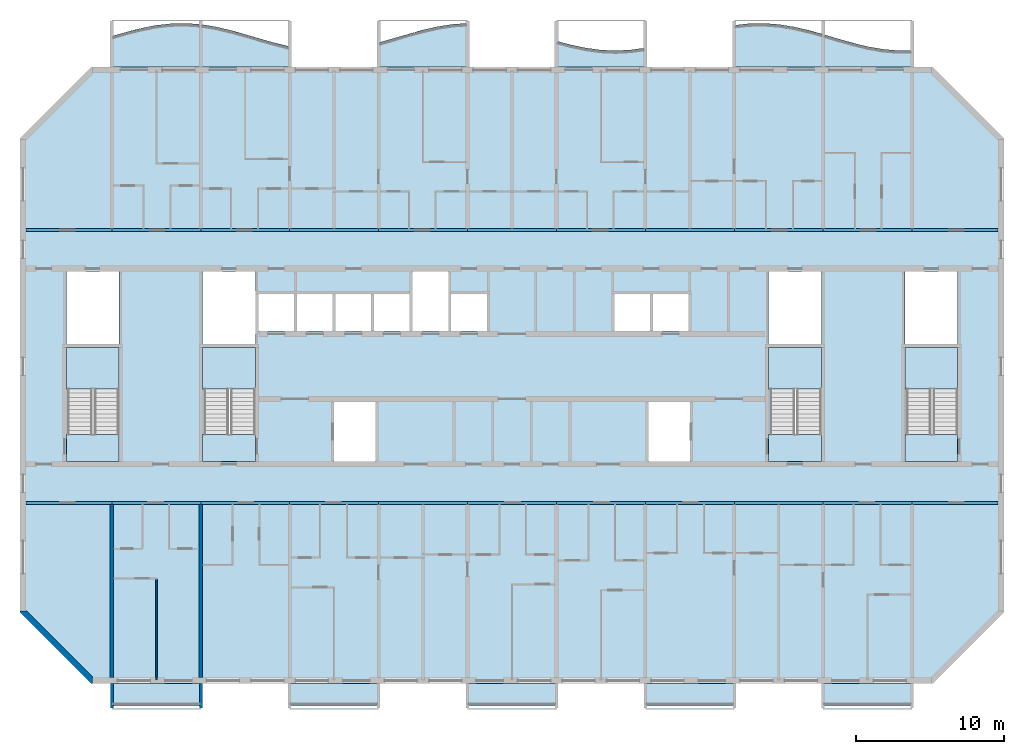
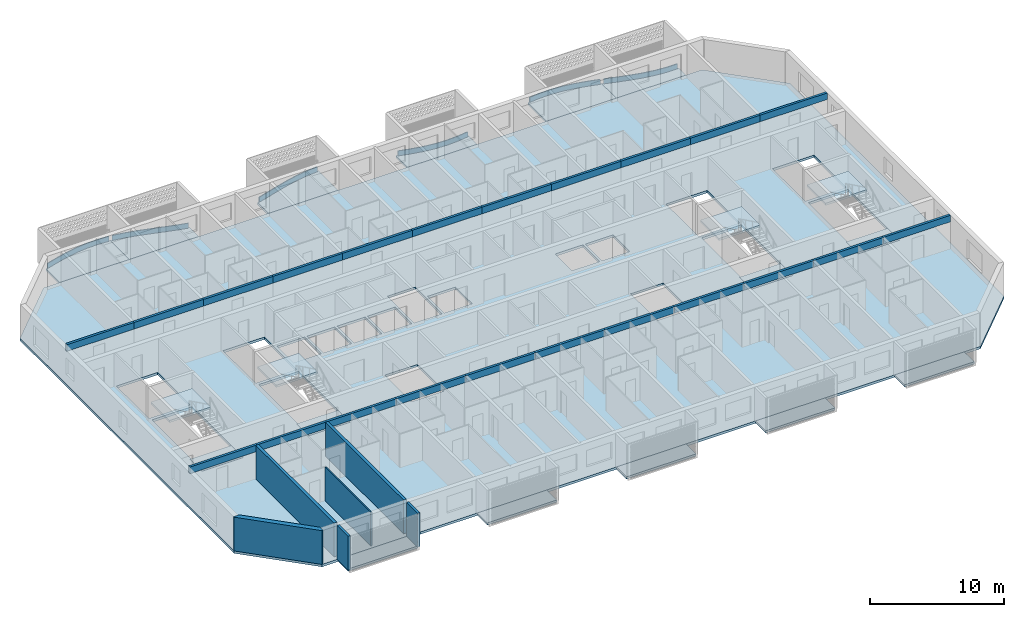
# One storey, part 1 of 27: 22 beams, 20 slabs, 6 plates, 6 walls, 4 elements without a shape of their own.
"""IFC4 building model written with IfcOpenShell, lengths in metres."""

from ifc_helpers import new_model, si_unit, direction, frame, frame_2d, origin, origin_2d, place, context, subcontext, project, spatial, polyline, rectangle, outline, extrude, source, transform, mapped, material, layer, layer_set, material_profile, profile_set, type_object, element, aggregate, save


model = new_model("IFC4")

# Units and contexts
model_context = context("Model", 3, precision=1e-05, world=origin(), true_north=direction((0.0, 1.0)))
body_context = subcontext(model_context, "Body", "Model", "MODEL_VIEW")
ifc_project = project(units=[si_unit("LENGTHUNIT", "METRE"), si_unit("AREAUNIT", "SQUARE_METRE"), si_unit("VOLUMEUNIT", "CUBIC_METRE"), si_unit("PLANEANGLEUNIT", "RADIAN"), si_unit("MASSUNIT", "GRAM", prefix="KILO")], contexts=[model_context])

# Site, building, storey
site_placement = place(None, origin())
site = spatial("IfcSite", under=ifc_project, at=site_placement, CompositionType="ELEMENT")
building_placement = place(site_placement, origin())
building = spatial("IfcBuilding", under=site, at=building_placement, Name="Poui Terraces", CompositionType="ELEMENT")
storey_placement = place(building_placement, frame((0.0, 0.0, 198.300048828125)))
storey = spatial("IfcBuildingStorey", under=building, at=storey_placement, Name="L55", CompositionType="ELEMENT", Elevation=198.300048828125)

# Beams
ifc_material_1 = material(Name="Concrete 50 MPa", Category="concrete")
ifc_material_profile = material_profile(ifc_material_1, rectangle(XDim=0.199951171875, YDim=0.60009765625, at=origin_2d()), Name="RC 200x600")
ifc_profile_set = profile_set([ifc_material_profile], Name="Concrete 50 MPa")
beam_type = type_object("IfcBeamType", Name="COUPLING BEAM 200x600 50MPa", PredefinedType="BEAM", material=ifc_profile_set)
shared_shape_1 = source(origin(), body_context, "Body", "SweptSolid", [
    extrude(rectangle(XDim=0.199951171875, YDim=0.60009765625, at=origin_2d()), origin(), (0.0, 0.0, 1.0), 5.800048828125),
])
for number, where, z_axis, x_axis, name in (
    (1, (18.199951171875, 12.0, 2.780029296875), (1.0, 0.0, 0.0), (0.0, 1.0, 0.0), "COUPLING BEAM LINE B BAY 1"),
    (2, (78.0, 12.0, 2.780029296875), (1.0, 0.0, 0.0), (0.0, 1.0, 0.0), "COUPLING BEAM LINE B BAY 11"),
    (3, (18.199951171875, 30.39990234375, 2.780029296875), (1.0, 0.0, 0.0), (0.0, 1.0, 0.0), "COUPLING BEAM LINE E BAY 1"),
    (4, (78.0, 30.39990234375, 2.780029296875), (1.0, 0.0, 0.0), (0.0, 1.0, 0.0), "COUPLING BEAM LINE E BAY 11"),
):
    element("IfcBeam", number, at=place(storey_placement, frame(where, z_axis=z_axis, x_axis=x_axis)), inside=storey, type_object=beam_type, Name=name, PredefinedType="BEAM", context=body_context, shape_type="MappedRepresentation", body=[
        mapped(shared_shape_1, transform((0.0, 0.0, 0.0))),
    ])
shared_shape_2 = source(origin(), body_context, "Body", "SweptSolid", [
    extrude(rectangle(XDim=0.199951171875, YDim=0.60009765625, at=origin_2d()), origin(), (0.0, 0.0, 1.0), 6.0),
])
for number, where, z_axis, x_axis, name in (
    (5, (24.0, 12.0, 2.780029296875), (1.0, 0.0, 0.0), (0.0, 1.0, 0.0), "COUPLING BEAM LINE B BAY 2"),
    (6, (30.0, 12.0, 2.780029296875), (1.0, 0.0, 0.0), (0.0, 1.0, 0.0), "COUPLING BEAM LINE B BAY 3"),
    (7, (36.0, 12.0, 2.780029296875), (1.0, 0.0, 0.0), (0.0, 1.0, 0.0), "COUPLING BEAM LINE B BAY 4"),
    (8, (42.0, 12.0, 2.780029296875), (1.0, 0.0, 0.0), (0.0, 1.0, 0.0), "COUPLING BEAM LINE B BAY 5"),
    (9, (48.0, 12.0, 2.780029296875), (1.0, 0.0, 0.0), (0.0, 1.0, 0.0), "COUPLING BEAM LINE B BAY 6"),
    (10, (54.0, 12.0, 2.780029296875), (1.0, 0.0, 0.0), (0.0, 1.0, 0.0), "COUPLING BEAM LINE B BAY 7"),
    (11, (60.0, 12.0, 2.780029296875), (1.0, 0.0, 0.0), (0.0, 1.0, 0.0), "COUPLING BEAM LINE B BAY 8"),
    (12, (66.0, 12.0, 2.780029296875), (1.0, 0.0, 0.0), (0.0, 1.0, 0.0), "COUPLING BEAM LINE B BAY 9"),
    (13, (72.0, 12.0, 2.780029296875), (1.0, 0.0, 0.0), (0.0, 1.0, 0.0), "COUPLING BEAM LINE B BAY 10"),
    (14, (24.0, 30.39990234375, 2.780029296875), (1.0, 0.0, 0.0), (0.0, 1.0, 0.0), "COUPLING BEAM LINE E BAY 2"),
    (15, (30.0, 30.39990234375, 2.780029296875), (1.0, 0.0, 0.0), (0.0, 1.0, 0.0), "COUPLING BEAM LINE E BAY 3"),
    (16, (36.0, 30.39990234375, 2.780029296875), (1.0, 0.0, 0.0), (0.0, 1.0, 0.0), "COUPLING BEAM LINE E BAY 4"),
    (17, (42.0, 30.39990234375, 2.780029296875), (1.0, 0.0, 0.0), (0.0, 1.0, 0.0), "COUPLING BEAM LINE E BAY 5"),
    (18, (48.0, 30.39990234375, 2.780029296875), (1.0, 0.0, 0.0), (0.0, 1.0, 0.0), "COUPLING BEAM LINE E BAY 6"),
    (19, (54.0, 30.39990234375, 2.780029296875), (1.0, 0.0, 0.0), (0.0, 1.0, 0.0), "COUPLING BEAM LINE E BAY 7"),
    (20, (60.0, 30.39990234375, 2.780029296875), (1.0, 0.0, 0.0), (0.0, 1.0, 0.0), "COUPLING BEAM LINE E BAY 8"),
    (21, (66.0, 30.39990234375, 2.780029296875), (1.0, 0.0, 0.0), (0.0, 1.0, 0.0), "COUPLING BEAM LINE E BAY 9"),
    (22, (72.0, 30.39990234375, 2.780029296875), (1.0, 0.0, 0.0), (0.0, 1.0, 0.0), "COUPLING BEAM LINE E BAY 10"),
):
    element("IfcBeam", number, at=place(storey_placement, frame(where, z_axis=z_axis, x_axis=x_axis)), inside=storey, type_object=beam_type, Name=name, PredefinedType="BEAM", context=body_context, shape_type="MappedRepresentation", body=[
        mapped(shared_shape_2, transform((0.0, 0.0, 0.0))),
    ])

# Slabs
ifc_material_2 = material(Name="Precast concrete 40 MPa", Category="concrete")
ifc_layer_1 = layer(ifc_material_2, 0.199951171875)
ifc_layer_set_1 = layer_set([ifc_layer_1], Name="Precast concrete 40 MPa")
slab_type_1 = type_object("IfcSlabType", Name="BALCONY SLAB 200", PredefinedType="FLOOR", material=ifc_layer_set_1)
slab_1_placement = place(storey_placement, frame((0.0, 0.0, -0.2001953125)))
element("IfcSlab", 23, at=slab_1_placement, inside=storey, type_object=slab_type_1, Name="BALCONY SLAB", PredefinedType="FLOOR", context=body_context, shape_type="SweptSolid", body=[
    extrude(outline(polyline([(24.0, 41.39990234375), (30.0, 41.39990234375), (30.0, 44.27099609375), (29.0, 44.345947265625), (28.0, 44.325927734375), (27.0, 44.21337890625), (26.0, 44.01953125), (25.0, 43.7646484375), (24.0, 43.474609375), (24.0, 41.39990234375)])), origin(), (0.0, 0.0, 1.0), 0.2001953125),
])
slab_2_placement = place(storey_placement, frame((0.0, 0.0, -0.2001953125)))
element("IfcSlab", 24, at=slab_2_placement, inside=storey, type_object=slab_type_1, Name="BALCONY SLAB", PredefinedType="FLOOR", context=body_context, shape_type="SweptSolid", body=[
    extrude(outline(polyline([(30.0, 41.39990234375), (36.0, 41.39990234375), (36.0, 42.775390625), (35.0, 43.017333984375), (34.0, 43.30126953125), (33.0, 43.597900390625), (32.0, 43.876708984375), (31.0, 44.109130859375), (30.0, 44.27099609375), (30.0, 41.39990234375)])), origin(), (0.0, 0.0, 1.0), 0.2001953125),
])
slab_3_placement = place(storey_placement, frame((0.0, 0.0, -0.2001953125)))
element("IfcSlab", 25, at=slab_3_placement, inside=storey, type_object=slab_type_1, Name="BALCONY SLAB", PredefinedType="FLOOR", context=body_context, shape_type="SweptSolid", body=[
    extrude(outline(polyline([(42.0, 41.39990234375), (48.0, 41.39990234375), (48.0, 44.347900390625), (47.0, 44.28076171875), (46.0, 44.12548828125), (45.0, 43.898193359375), (44.0, 43.622314453125), (43.0, 43.32568359375), (42.0, 43.039794921875), (42.0, 41.39990234375)])), origin(), (0.0, 0.0, 1.0), 0.2001953125),
])
slab_4_placement = place(storey_placement, frame((0.0, 0.0, -0.2001953125)))
element("IfcSlab", 26, at=slab_4_placement, inside=storey, type_object=slab_type_1, Name="BALCONY SLAB", PredefinedType="FLOOR", context=body_context, shape_type="SweptSolid", body=[
    extrude(outline(polyline([(54.0, 41.39990234375), (60.0, 41.39990234375), (60.0, 42.693115234375), (59.0, 42.551513671875), (58.0, 42.5), (57.0, 42.543701171875), (56.0, 42.677978515625), (55.0, 42.889404296875), (54.0, 43.15576171875), (54.0, 41.39990234375)])), origin(), (0.0, 0.0, 1.0), 0.2001953125),
])
slab_5_placement = place(storey_placement, frame((0.0, 0.0, -0.2001953125)))
element("IfcSlab", 27, at=slab_5_placement, inside=storey, type_object=slab_type_1, Name="BALCONY SLAB", PredefinedType="FLOOR", context=body_context, shape_type="SweptSolid", body=[
    extrude(outline(polyline([(66.0, 41.39990234375), (72.0, 41.39990234375), (72.0, 43.597900390625), (71.0, 43.876708984375), (70.0, 44.109130859375), (69.0, 44.27099609375), (68.0, 44.345947265625), (67.0, 44.325927734375), (66.0, 44.21337890625), (66.0, 41.39990234375)])), origin(), (0.0, 0.0, 1.0), 0.2001953125),
])
slab_6_placement = place(storey_placement, frame((0.0, 0.0, -0.2001953125)))
element("IfcSlab", 28, at=slab_6_placement, inside=storey, type_object=slab_type_1, Name="BALCONY SLAB", PredefinedType="FLOOR", context=body_context, shape_type="SweptSolid", body=[
    extrude(outline(polyline([(72.0, 41.39990234375), (78.0, 41.39990234375), (78.0, 42.51416015625), (77.0, 42.510009765625), (76.0, 42.600341796875), (75.0, 42.775390625), (74.0, 43.017333984375), (73.0, 43.30126953125), (72.0, 43.597900390625), (72.0, 41.39990234375)])), origin(), (0.0, 0.0, 1.0), 0.2001953125),
])

# Stair, slabs
stair_type = type_object("IfcStairType", Name="EXIT STAIR 1650 50 MPA", PredefinedType="HALF_TURN_STAIR", material=ifc_material_1)
stair_1_placement = place(storey_placement, origin())
stair_1 = element("IfcStair", 29, at=stair_1_placement, inside=storey, type_object=stair_type, Name="L55 CORE STAIR EAST", PredefinedType="HALF_TURN_STAIR")
ifc_layer_2 = layer(ifc_material_1, 0.199951171875)
ifc_layer_set_2 = layer_set([ifc_layer_2], Name="Concrete 50 MPa")
slab_type_2 = type_object("IfcSlabType", Name="STAIR LANDING 200 50 MPA", PredefinedType="LANDING", material=ifc_layer_set_2)
slab_7_placement = place(storey_placement, frame((0.0, 0.0, 1.449951171875)))
slab_7 = element("IfcSlab", 30, at=slab_7_placement, type_object=slab_type_2, Name="ST-CE landing 1", PredefinedType="LANDING", context=body_context, shape_type="SweptSolid", body=[
    extrude(outline(polyline([(68.324951171875, 19.679931640625), (71.875, 19.679931640625), (71.875, 22.47509765625), (68.324951171875, 22.47509765625), (68.324951171875, 19.679931640625)])), origin(), (0.0, 0.0, 1.0), 0.199951171875),
])
slab_8_placement = place(storey_placement, frame((0.0, 0.0, -0.2001953125)))
slab_8 = element("IfcSlab", 31, at=slab_8_placement, type_object=slab_type_2, Name="ST-CE landing 2", PredefinedType="LANDING", context=body_context, shape_type="SweptSolid", body=[
    extrude(outline(polyline([(68.324951171875, 14.800048828125), (71.875, 14.800048828125), (71.875, 16.60009765625), (68.324951171875, 16.60009765625), (68.324951171875, 14.800048828125)])), origin(), (0.0, 0.0, 1.0), 0.2001953125),
])
aggregate(stair_1, [slab_7, slab_8])

stair_2_placement = place(storey_placement, origin())
stair_2 = element("IfcStair", 32, at=stair_2_placement, inside=storey, type_object=stair_type, Name="L55 CORE STAIR WEST", PredefinedType="HALF_TURN_STAIR")
slab_9_placement = place(storey_placement, frame((0.0, 0.0, 1.449951171875)))
slab_9 = element("IfcSlab", 33, at=slab_9_placement, type_object=slab_type_2, Name="ST-CW landing 1", PredefinedType="LANDING", context=body_context, shape_type="SweptSolid", body=[
    extrude(outline(polyline([(30.125, 19.679931640625), (33.675048828125, 19.679931640625), (33.675048828125, 22.47509765625), (30.125, 22.47509765625), (30.125, 19.679931640625)])), origin(), (0.0, 0.0, 1.0), 0.199951171875),
])
slab_10_placement = place(storey_placement, frame((0.0, 0.0, -0.2001953125)))
slab_10 = element("IfcSlab", 34, at=slab_10_placement, type_object=slab_type_2, Name="ST-CW landing 2", PredefinedType="LANDING", context=body_context, shape_type="SweptSolid", body=[
    extrude(outline(polyline([(30.125, 14.800048828125), (33.675048828125, 14.800048828125), (33.675048828125, 16.60009765625), (30.125, 16.60009765625), (30.125, 14.800048828125)])), origin(), (0.0, 0.0, 1.0), 0.2001953125),
])
aggregate(stair_2, [slab_9, slab_10])

stair_3_placement = place(storey_placement, origin())
stair_3 = element("IfcStair", 35, at=stair_3_placement, inside=storey, type_object=stair_type, Name="L55 TIP STAIR EAST", PredefinedType="HALF_TURN_STAIR")
slab_11_placement = place(storey_placement, frame((0.0, 0.0, 1.449951171875)))
slab_11 = element("IfcSlab", 36, at=slab_11_placement, type_object=slab_type_2, Name="ST-E landing 1", PredefinedType="LANDING", context=body_context, shape_type="SweptSolid", body=[
    extrude(outline(polyline([(77.52490234375, 19.679931640625), (81.074951171875, 19.679931640625), (81.074951171875, 22.47509765625), (77.52490234375, 22.47509765625), (77.52490234375, 19.679931640625)])), origin(), (0.0, 0.0, 1.0), 0.199951171875),
])
slab_12_placement = place(storey_placement, frame((0.0, 0.0, -0.2001953125)))
slab_12 = element("IfcSlab", 37, at=slab_12_placement, type_object=slab_type_2, Name="ST-E landing 2", PredefinedType="LANDING", context=body_context, shape_type="SweptSolid", body=[
    extrude(outline(polyline([(77.52490234375, 14.800048828125), (81.074951171875, 14.800048828125), (81.074951171875, 16.60009765625), (77.52490234375, 16.60009765625), (77.52490234375, 14.800048828125)])), origin(), (0.0, 0.0, 1.0), 0.2001953125),
])
aggregate(stair_3, [slab_11, slab_12])

stair_4_placement = place(storey_placement, origin())
stair_4 = element("IfcStair", 38, at=stair_4_placement, inside=storey, type_object=stair_type, Name="L55 TIP STAIR WEST", PredefinedType="HALF_TURN_STAIR")
slab_13_placement = place(storey_placement, frame((0.0, 0.0, 1.449951171875)))
slab_13 = element("IfcSlab", 39, at=slab_13_placement, type_object=slab_type_2, Name="ST-W landing 1", PredefinedType="LANDING", context=body_context, shape_type="SweptSolid", body=[
    extrude(outline(polyline([(20.925048828125, 19.679931640625), (24.47509765625, 19.679931640625), (24.47509765625, 22.47509765625), (20.925048828125, 22.47509765625), (20.925048828125, 19.679931640625)])), origin(), (0.0, 0.0, 1.0), 0.199951171875),
])
slab_14_placement = place(storey_placement, frame((0.0, 0.0, -0.2001953125)))
slab_14 = element("IfcSlab", 40, at=slab_14_placement, type_object=slab_type_2, Name="ST-W landing 2", PredefinedType="LANDING", context=body_context, shape_type="SweptSolid", body=[
    extrude(outline(polyline([(20.925048828125, 14.800048828125), (24.47509765625, 14.800048828125), (24.47509765625, 16.60009765625), (20.925048828125, 16.60009765625), (20.925048828125, 14.800048828125)])), origin(), (0.0, 0.0, 1.0), 0.2001953125),
])
aggregate(stair_4, [slab_13, slab_14])

# Plates
ifc_layer_3 = layer(ifc_material_2, 0.080078125)
ifc_layer_set_3 = layer_set([ifc_layer_3], Name="Precast concrete 40 MPa")
plate_type = type_object("IfcPlateType", Name="SUNSHADE UPSTAND 80", PredefinedType="SHEET", material=ifc_layer_set_3)
plate_1_placement = place(storey_placement, origin())
element("IfcPlate", 41, at=plate_1_placement, inside=storey, type_object=plate_type, Name="SUNSHADE UPSTAND", PredefinedType="SHEET", context=body_context, shape_type="SweptSolid", body=[
    extrude(outline(polyline([(24.989501953125, 43.75830078125), (24.114013671875, 43.505126953125), (24.135986328125, 43.428466796875), (25.010498046875, 43.680908203125), (26.0087890625, 43.935546875), (27.006103515625, 44.12890625), (28.002685546875, 44.2412109375), (28.9990234375, 44.260986328125), (29.872314453125, 44.200439453125), (29.877685546875, 44.2802734375), (29.856201171875, 44.28173828125), (29.0009765625, 44.3408203125), (27.997314453125, 44.321044921875), (26.993896484375, 44.2080078125), (25.9912109375, 44.013671875), (24.989501953125, 43.75830078125)])), origin(), (0.0, 0.0, 1.0), 0.449951171875),
])
plate_2_placement = place(storey_placement, origin())
element("IfcPlate", 42, at=plate_2_placement, inside=storey, type_object=plate_type, Name="SUNSHADE UPSTAND", PredefinedType="SHEET", context=body_context, shape_type="SweptSolid", body=[
    extrude(outline(polyline([(31.0078125, 44.103271484375), (30.1357421875, 44.2490234375), (30.131591796875, 44.249755859375), (30.118408203125, 44.1708984375), (30.9921875, 44.02490234375), (31.989990234375, 43.79296875), (32.989013671875, 43.514404296875), (33.98876953125, 43.2177734375), (34.98974609375, 42.93359375), (35.865478515625, 42.718505859375), (35.884521484375, 42.796142578125), (35.01025390625, 43.010986328125), (34.01123046875, 43.294677734375), (33.010986328125, 43.59130859375), (32.010009765625, 43.87060546875), (31.0078125, 44.103271484375)])), origin(), (0.0, 0.0, 1.0), 0.449951171875),
])
plate_3_placement = place(storey_placement, origin())
element("IfcPlate", 43, at=plate_3_placement, inside=storey, type_object=plate_type, Name="SUNSHADE UPSTAND", PredefinedType="SHEET", context=body_context, shape_type="SweptSolid", body=[
    extrude(outline(polyline([(42.98876953125, 43.319091796875), (42.114013671875, 43.0673828125), (42.135986328125, 42.990478515625), (43.01123046875, 43.242431640625), (44.010986328125, 43.538818359375), (45.009765625, 43.814453125), (46.007568359375, 44.041259765625), (47.00439453125, 44.196044921875), (47.8779296875, 44.259765625), (47.8720703125, 44.33935546875), (47.83203125, 44.336669921875), (46.99560546875, 44.275390625), (45.992431640625, 44.119873046875), (44.990234375, 43.89208984375), (43.989013671875, 43.615478515625), (42.98876953125, 43.319091796875)])), origin(), (0.0, 0.0, 1.0), 0.449951171875),
])
plate_4_placement = place(storey_placement, origin())
element("IfcPlate", 44, at=plate_4_placement, inside=storey, type_object=plate_type, Name="SUNSHADE UPSTAND", PredefinedType="SHEET", context=body_context, shape_type="SweptSolid", body=[
    extrude(outline(polyline([(55.00927734375, 42.88330078125), (54.13525390625, 43.114013671875), (54.11474609375, 43.03662109375), (54.99072265625, 42.805419921875), (55.9931640625, 42.59375), (56.99658203125, 42.458984375), (58.000244140625, 42.4150390625), (59.003662109375, 42.466796875), (59.88037109375, 42.586181640625), (59.86962890625, 42.66552734375), (58.996337890625, 42.54638671875), (57.999755859375, 42.4951171875), (57.00341796875, 42.53857421875), (56.0068359375, 42.672607421875), (55.00927734375, 42.88330078125)])), origin(), (0.0, 0.0, 1.0), 0.449951171875),
])
plate_5_placement = place(storey_placement, origin())
element("IfcPlate", 45, at=plate_5_placement, inside=storey, type_object=plate_type, Name="SUNSHADE UPSTAND", PredefinedType="SHEET", context=body_context, shape_type="SweptSolid", body=[
    extrude(outline(polyline([(66.99755859375, 44.321044921875), (66.123291015625, 44.227294921875), (66.12060546875, 44.22705078125), (66.12939453125, 44.1474609375), (67.00244140625, 44.2412109375), (67.998779296875, 44.260986328125), (68.995361328125, 44.186279296875), (69.9921875, 44.02490234375), (70.989990234375, 43.79296875), (71.8642578125, 43.55078125), (71.8857421875, 43.627685546875), (71.010009765625, 43.87060546875), (70.0078125, 44.103271484375), (69.004638671875, 44.265869140625), (68.001220703125, 44.3408203125), (66.99755859375, 44.321044921875)])), origin(), (0.0, 0.0, 1.0), 0.449951171875),
])
plate_6_placement = place(storey_placement, origin())
element("IfcPlate", 46, at=plate_6_placement, inside=storey, type_object=plate_type, Name="SUNSHADE UPSTAND", PredefinedType="SHEET", context=body_context, shape_type="SweptSolid", body=[
    extrude(outline(polyline([(73.01123046875, 43.294677734375), (72.136474609375, 43.554443359375), (72.113525390625, 43.477783203125), (72.98876953125, 43.2177734375), (73.98974609375, 42.93359375), (74.99169921875, 42.691162109375), (75.99462890625, 42.515625), (76.998291015625, 42.425048828125), (77.875, 42.42333984375), (77.875, 42.50341796875), (77.001708984375, 42.505126953125), (76.00537109375, 42.594970703125), (75.00830078125, 42.76953125), (74.01025390625, 43.010986328125), (73.01123046875, 43.294677734375)])), origin(), (0.0, 0.0, 1.0), 0.449951171875),
])

# Slabs
ifc_material_3 = material(Name="Concrete 40 MPa", Category="concrete")
ifc_layer_4 = layer(ifc_material_3, 0.219970703125)
ifc_layer_set_4 = layer_set([ifc_layer_4], Name="Concrete 40 MPa")
slab_type_3 = type_object("IfcSlabType", Name="FLOOR SLAB 220", PredefinedType="FLOOR", material=ifc_layer_set_4)
shared_shape_3 = source(origin(), body_context, "Body", "SweptSolid", [
    extrude(outline(polyline([(0.0, 0.0), (4.800048828125, -4.800048828125), (61.599853515625, -4.800048828125), (66.39990234375, 0.0), (66.39990234375, 32.0), (61.599853515625, 36.7998046875), (4.800048828125, 36.7998046875), (0.0, 32.0), (0.0, 0.0)]), holes=[polyline([(21.199951171875, 10.199951171875), (21.199951171875, 14.199951171875), (24.0, 14.199951171875), (24.0, 10.199951171875), (21.199951171875, 10.199951171875)]), polyline([(3.224853515625, 17.849853515625), (6.675048828125, 17.849853515625), (6.675048828125, 12.0), (6.675048828125, 10.199951171875), (3.125, 10.199951171875), (3.125, 12.0), (3.224853515625, 12.0), (3.224853515625, 17.849853515625)]), polyline([(12.425048828125, 17.849853515625), (15.875, 17.849853515625), (15.875, 12.0), (15.875, 10.199951171875), (12.324951171875, 10.199951171875), (12.324951171875, 12.0), (12.425048828125, 12.0), (12.425048828125, 17.849853515625)]), polyline([(16.099853515625, 19.0), (16.099853515625, 21.5), (18.5, 21.5), (18.5, 19.0), (16.099853515625, 19.0)]), polyline([(18.699951171875, 19.0), (18.699951171875, 21.5), (21.099853515625, 21.5), (21.099853515625, 19.0), (18.699951171875, 19.0)]), polyline([(21.300048828125, 19.0), (21.300048828125, 21.5), (23.699951171875, 21.5), (23.699951171875, 19.0), (21.300048828125, 19.0)]), polyline([(23.89990234375, 19.0), (23.89990234375, 21.5), (26.300048828125, 21.5), (26.300048828125, 19.0), (23.89990234375, 19.0)]), polyline([(3.125, 23.0), (6.675048828125, 23.0), (6.675048828125, 18.125), (3.125, 18.125), (3.125, 23.0)]), polyline([(12.324951171875, 23.0), (15.875, 23.0), (15.875, 18.125), (12.324951171875, 18.125), (12.324951171875, 23.0)]), polyline([(42.39990234375, 10.199951171875), (42.39990234375, 14.199951171875), (45.199951171875, 14.199951171875), (45.199951171875, 10.199951171875), (42.39990234375, 10.199951171875)]), polyline([(50.625, 17.849853515625), (54.074951171875, 17.849853515625), (54.074951171875, 12.0), (54.074951171875, 10.199951171875), (50.52490234375, 10.199951171875), (50.52490234375, 12.0), (50.625, 12.0), (50.625, 17.849853515625)]), polyline([(59.824951171875, 17.849853515625), (63.27490234375, 17.849853515625), (63.27490234375, 12.0), (63.27490234375, 10.199951171875), (59.724853515625, 10.199951171875), (59.724853515625, 12.0), (59.824951171875, 12.0), (59.824951171875, 17.849853515625)]), polyline([(29.099853515625, 19.0), (29.099853515625, 21.5), (31.5, 21.5), (31.5, 19.0), (29.099853515625, 19.0)]), polyline([(40.099853515625, 19.0), (40.099853515625, 21.5), (42.5, 21.5), (42.5, 19.0), (40.099853515625, 19.0)]), polyline([(42.699951171875, 19.0), (42.699951171875, 21.5), (45.099853515625, 21.5), (45.099853515625, 19.0), (42.699951171875, 19.0)]), polyline([(50.52490234375, 18.125), (50.52490234375, 23.0), (54.074951171875, 23.0), (54.074951171875, 18.125), (50.52490234375, 18.125)]), polyline([(59.724853515625, 23.0), (63.27490234375, 23.0), (63.27490234375, 18.125), (59.724853515625, 18.125), (59.724853515625, 23.0)]), polyline([(26.5, 23.0), (28.89990234375, 23.0), (28.89990234375, 19.0), (26.5, 19.0), (26.5, 23.0)])]), origin(), (0.0, 0.0, 1.0), 0.22021484375),
])
slab_15_placement = place(storey_placement, frame((17.800048828125, 4.60009765625, -0.22021484375)))
element("IfcSlab", 47, at=slab_15_placement, inside=storey, type_object=slab_type_3, Name="FLOOR SLAB", PredefinedType="FLOOR", context=body_context, shape_type="MappedRepresentation", body=[
    mapped(shared_shape_3, transform((0.0, 0.0, 0.0))),
])
ifc_layer_5 = layer(ifc_material_2, 0.199951171875)
ifc_layer_set_5 = layer_set([ifc_layer_5], Name="Precast concrete 40 MPa")
slab_type_4 = type_object("IfcSlabType", Name="REAR BALCONY SLAB 200", PredefinedType="FLOOR", material=ifc_layer_set_5)
shared_shape_4 = source(origin(), body_context, "Body", "SweptSolid", [
    extrude(outline(polyline([(0.0, 0.0), (6.0, 0.0), (6.0, 1.5), (0.0, 1.5), (0.0, 0.0)])), origin(), (0.0, 0.0, 1.0), 0.2001953125),
])
for number, where, name in (
    (48, (24.0, -1.699951171875, -0.2001953125), "REAR BALCONY SLAB"),
    (49, (36.0, -1.699951171875, -0.2001953125), "REAR BALCONY SLAB"),
    (50, (48.0, -1.699951171875, -0.2001953125), "REAR BALCONY SLAB"),
    (51, (60.0, -1.699951171875, -0.2001953125), "REAR BALCONY SLAB"),
    (52, (72.0, -1.699951171875, -0.2001953125), "REAR BALCONY SLAB"),
):
    element("IfcSlab", number, at=place(storey_placement, frame(where)), inside=storey, type_object=slab_type_4, Name=name, PredefinedType="FLOOR", context=body_context, shape_type="MappedRepresentation", body=[
        mapped(shared_shape_4, transform((0.0, 0.0, 0.0))),
    ])

# Walls
ifc_layer_6 = layer(ifc_material_1, 0.25)
ifc_layer_set_6 = layer_set([ifc_layer_6], Name="Concrete 50 MPa")
wall_type_1 = type_object("IfcWallType", Name="CROSS WALL 250 50MPa", PredefinedType="SHEAR", material=ifc_layer_set_6)
for number, where, z_axis, x_axis, name in (
    (53, (24.0, 0.199951171875, 0.0), (0.0, 0.0, 1.0), (0.0, 1.0, 0.0), "CROSS WALL LINE 5 SOUTH"),
    (54, (30.0, 0.199951171875, 0.0), (0.0, 0.0, 1.0), (0.0, 1.0, 0.0), "CROSS WALL LINE 6 SOUTH"),
):
    element("IfcWall", number, at=place(storey_placement, frame(where, z_axis=z_axis, x_axis=x_axis)), inside=storey, type_object=wall_type_1, Name=name, PredefinedType="SHEAR", context=body_context, shape_type="SweptSolid", body=[
        extrude(rectangle(XDim=11.699951171875, YDim=0.25, at=frame_2d((5.85009765625, 0.0))), origin(), (0.0, 0.0, 1.0), 3.079833984375),
    ])
ifc_material_4 = material(Name="Plasterboard partition")
ifc_layer_7 = layer(ifc_material_4, 0.10009765625)
ifc_layer_set_7 = layer_set([ifc_layer_7], Name="Plasterboard partition")
wall_type_2 = type_object("IfcWallType", Name="FLAT PARTITION 100", PredefinedType="PARTITIONING", material=ifc_layer_set_7)
wall_1_placement = place(storey_placement, frame((27.0, 0.06005859375, 0.0), z_axis=(0.0, 0.0, 1.0), x_axis=(0.0, 1.0, 0.0)))
element("IfcWall", 55, at=wall_1_placement, inside=storey, type_object=wall_type_2, Name="FLAT PARTITION 100", PredefinedType="PARTITIONING", context=body_context, shape_type="SweptSolid", body=[
    extrude(rectangle(XDim=6.7900390625, YDim=0.10009765625, at=frame_2d((3.39501953125, 0.0))), origin(), (0.0, 0.0, 1.0), 3.079833984375),
])
ifc_layer_8 = layer(ifc_material_2, 0.39990234375)
ifc_layer_set_8 = layer_set([ifc_layer_8], Name="Precast concrete 40 MPa")
wall_type_3 = type_object("IfcWallType", Name="TERRACOTTA CLAD CHAMFER WALL 400", PredefinedType="STANDARD", material=ifc_layer_set_8)
wall_2_placement = place(storey_placement, origin())
element("IfcWall", 56, at=wall_2_placement, inside=storey, type_object=wall_type_3, Name="CHAMFER WALL CH07", PredefinedType="STANDARD", context=body_context, shape_type="SweptSolid", body=[
    extrude(outline(polyline([(17.800048828125, 4.682861328125), (17.800048828125, 4.60009765625), (22.60009765625, -0.199951171875), (22.682861328125, -0.199951171875), (22.682861328125, 0.28271484375), (18.28271484375, 4.682861328125), (17.800048828125, 4.682861328125)])), origin(), (0.0, 0.0, 1.0), 3.079833984375),
])
ifc_layer_9 = layer(ifc_material_2, 0.199951171875)
ifc_layer_set_9 = layer_set([ifc_layer_9], Name="Precast concrete 40 MPa")
wall_type_4 = type_object("IfcWallType", Name="REAR FIN 200", PredefinedType="STANDARD", material=ifc_layer_set_9)
shared_shape_5 = source(origin(), body_context, "Body", "SweptSolid", [
    extrude(outline(polyline([(0.0, 0.0), (0.2001953125, 0.0), (0.2001953125, 1.650146484375), (0.0, 1.650146484375), (0.0, 0.0)])), origin(), (0.0, 0.0, 1.0), 3.099853515625),
])
for number, where, name in (
    (57, (23.89990234375, -1.85009765625, 0.0), "REAR FIN"),
    (58, (29.89990234375, -1.85009765625, 0.0), "REAR FIN"),
):
    element("IfcWall", number, at=place(storey_placement, frame(where)), inside=storey, type_object=wall_type_4, Name=name, PredefinedType="STANDARD", context=body_context, shape_type="MappedRepresentation", body=[
        mapped(shared_shape_5, transform((0.0, 0.0, 0.0))),
    ])

save(model, "model.ifc")
